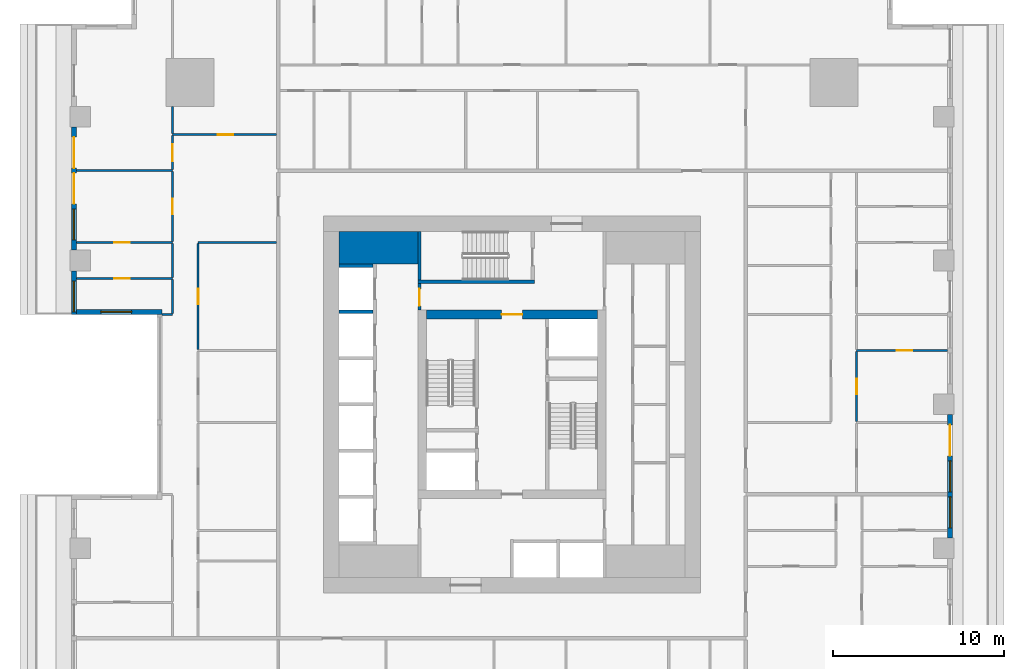
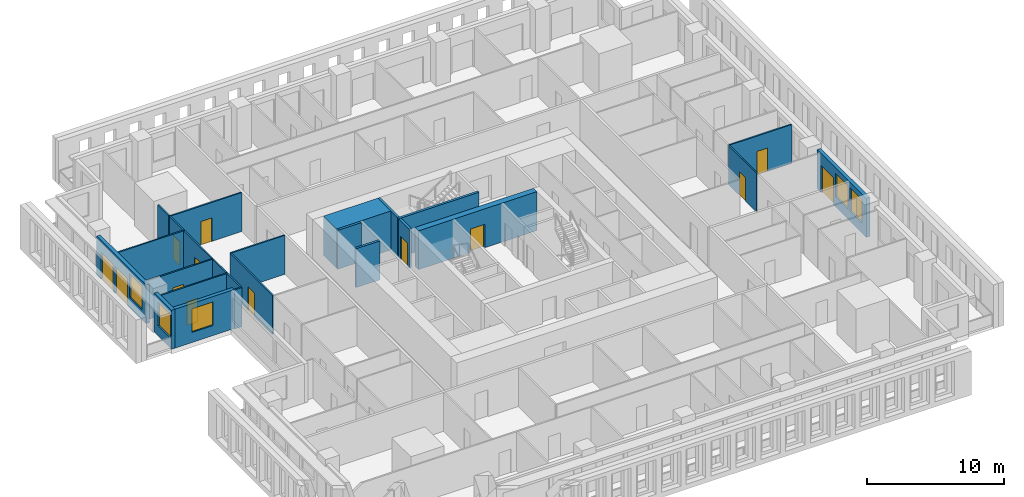
# One storey, part 6 of 14: 25 walls, 13 doors, 5 windows, 18 openings.
"""IFC4 building model written with IfcOpenShell, lengths in metres."""

from ifc_helpers import new_model, si_unit, direction, frame, frame_2d, origin, place, context, subcontext, project, spatial, rectangle, extrude, material, layer, layer_set, type_object, element, fill, save


model = new_model("IFC4")

# Units and contexts
model_context = context("Model", 3, precision=1e-05, world=origin(), true_north=direction((0.0, 1.0)))
body_context = subcontext(model_context, "Body", "Model", "MODEL_VIEW")
ifc_project = project(units=[si_unit("LENGTHUNIT", "METRE"), si_unit("AREAUNIT", "SQUARE_METRE"), si_unit("VOLUMEUNIT", "CUBIC_METRE"), si_unit("PLANEANGLEUNIT", "RADIAN"), si_unit("MASSUNIT", "GRAM", prefix="KILO")], contexts=[model_context])

# Site, building, storey
site_placement = place(None, origin())
site = spatial("IfcSite", under=ifc_project, at=site_placement, CompositionType="ELEMENT")
building_placement = place(site_placement, origin())
building = spatial("IfcBuilding", under=site, at=building_placement, Name="Khepri Terraces", CompositionType="ELEMENT")
storey_placement = place(building_placement, frame((0.0, 0.0, 90.89990234375)))
storey = spatial("IfcBuildingStorey", under=building, at=storey_placement, Name="L21", CompositionType="ELEMENT", Elevation=90.89990234375)

# Walls
ifc_material_1 = material(Name="Concrete C70/85", Category="concrete")
ifc_layer_1 = layer(ifc_material_1, 1.89990234375, Name="Concrete C70/85", Category="concrete")
ifc_layer_set_1 = layer_set([ifc_layer_1], Name="Concrete C70/85")
wall_type_1 = type_object("IfcWallType", Name="Core wall 1900 C70/85", PredefinedType="SHEAR", material=ifc_layer_set_1)
wall_1_placement = place(storey_placement, frame((-10.10009765625, 9.14990234375, 0.0), z_axis=(0.0, 0.0, 1.0), x_axis=(1.0, 0.0, 0.0)))
element("IfcWall", 1, at=wall_1_placement, inside=storey, type_object=wall_type_1, Name="Core wall PR03 L21", PredefinedType="SHEAR", context=body_context, shape_type="SweptSolid", body=[
    extrude(rectangle(XDim=4.60009765625, YDim=1.89990234375, at=frame_2d((2.300048828125, 0.0))), origin(), (0.0, 0.0, 1.0), 3.47998046875),
])
ifc_layer_2 = layer(ifc_material_1, 0.199951171875, Name="Concrete C70/85", Category="concrete")
ifc_layer_set_2 = layer_set([ifc_layer_2], Name="Concrete C70/85")
wall_type_2 = type_object("IfcWallType", Name="Core wall 200 C70/85", PredefinedType="SHEAR", material=ifc_layer_set_2)
wall_2_placement = place(storey_placement, frame((-5.5, 7.14990234375, 0.0), z_axis=(0.0, 0.0, 1.0), x_axis=(1.0, 0.0, 0.0)))
element("IfcWall", 2, at=wall_2_placement, inside=storey, type_object=wall_type_2, Name="Core wall ST05 L21", PredefinedType="SHEAR", context=body_context, shape_type="SweptSolid", body=[
    extrude(rectangle(XDim=6.800048828125, YDim=0.199951171875, at=frame_2d((3.39990234375, 0.0))), origin(), (0.0, 0.0, 1.0), 3.47998046875),
])
wall_3_placement = place(storey_placement, frame((-5.39990234375, 7.25, 0.0), z_axis=(0.0, 0.0, 1.0), x_axis=(0.0, 1.0, 0.0)))
element("IfcWall", 3, at=wall_3_placement, inside=storey, type_object=wall_type_2, Name="Core wall ST06 L21", PredefinedType="SHEAR", context=body_context, shape_type="SweptSolid", body=[
    extrude(rectangle(XDim=2.85009765625, YDim=0.199951171875, at=frame_2d((1.425048828125, 0.0))), origin(), (0.0, 0.0, 1.0), 3.47998046875),
])
for number, where, z_axis, x_axis, name in (
    (4, (-10.10009765625, 5.39990234375, 0.0), (0.0, 0.0, 1.0), (1.0, 0.0, 0.0), "Core wall SH19 L21"),
    (5, (-10.10009765625, 8.10009765625, 0.0), (0.0, 0.0, 1.0), (1.0, 0.0, 0.0), "Core wall SH20 L21"),
):
    element("IfcWall", number, at=place(storey_placement, frame(where, z_axis=z_axis, x_axis=x_axis)), inside=storey, type_object=wall_type_2, Name=name, PredefinedType="SHEAR", context=body_context, shape_type="SweptSolid", body=[
        extrude(rectangle(XDim=2.0, YDim=0.199951171875, at=frame_2d((1.0, 0.0))), origin(), (0.0, 0.0, 1.0), 3.47998046875),
    ])

# Wall, opening, door
ifc_layer_3 = layer(ifc_material_1, 0.5, Name="Concrete C70/85", Category="concrete")
ifc_layer_set_3 = layer_set([ifc_layer_3], Name="Concrete C70/85")
wall_type_3 = type_object("IfcWallType", Name="Core wall 500 C70/85", PredefinedType="SHEAR", material=ifc_layer_set_3)
wall_4_placement = place(storey_placement, frame((-5.0, 5.25, 0.0), z_axis=(0.0, 0.0, 1.0), x_axis=(1.0, 0.0, 0.0)))
wall_4 = element("IfcWall", 6, at=wall_4_placement, inside=storey, type_object=wall_type_3, Name="Core wall BX04 L21", PredefinedType="SHEAR", context=body_context, shape_type="SweptSolid", body=[
    extrude(rectangle(XDim=10.0, YDim=0.5, at=frame_2d((5.0, 0.0))), origin(), (0.0, 0.0, 1.0), 3.47998046875),
])
opening_1_placement = place(wall_4_placement, frame((4.39990234375, 0.0, 0.0)))
opening_1 = element("IfcOpeningElement", 7, at=opening_1_placement, cuts=wall_4, Name="Opening L21-C13", PredefinedType="OPENING", context=body_context, shape_type="SweptSolid", body=[
    extrude(rectangle(XDim=1.199951171875, YDim=2.10009765625, at=frame_2d((0.60009765625, 1.050048828125))), frame((0.0, 0.260009765625, 0.0), z_axis=(0.0, -1.0, 0.0), x_axis=(1.0, 0.0, 0.0)), (0.0, 0.0, 1.0), 0.52001953125),
])
ifc_material_2 = material(Name="Painted steel", Category="steel")
door_type_1 = type_object("IfcDoorType", Name="DR-CORE-FF-LOBBY-1200", OperationType="NOTDEFINED", PredefinedType="DOOR", material=ifc_material_2)
door_1_placement = place(opening_1_placement, frame((1.199951171875, 0.0, 0.0), z_axis=(0.0, 0.0, 1.0), x_axis=(-1.0, 0.0, 0.0)))
door_1 = element("IfcDoor", 8, at=door_1_placement, inside=storey, type_object=door_type_1, Name="Firefighting lobby door L21-C13", OperationType="SINGLE_SWING_LEFT", OverallHeight=2.10009765625, OverallWidth=1.199951171875, PredefinedType="DOOR", context=body_context, shape_type="SweptSolid", body=[
    extrude(rectangle(XDim=1.199951171875, YDim=2.10009765625, at=frame_2d((0.60009765625, 1.050048828125))), frame((0.0, 0.02490234375, 0.0), z_axis=(0.0, -1.0, 0.0), x_axis=(1.0, 0.0, 0.0)), (0.0, 0.0, 1.0), 0.050048828125),
])
fill(opening_1, door_1)

ifc_material_3 = material(Name="Fire-rated gypsum board partition")
ifc_layer_4 = layer(ifc_material_3, 0.199951171875, Name="Fire-rated gypsum board partition")
ifc_layer_set_4 = layer_set([ifc_layer_4], Name="Fire-rated gypsum board partition")
wall_type_4 = type_object("IfcWallType", Name="WL-CORE-PART-200", PredefinedType="PARTITIONING", material=ifc_layer_set_4)
wall_5_placement = place(storey_placement, frame((-5.39990234375, 5.5, 0.0), z_axis=(0.0, 0.0, 1.0), x_axis=(0.0, 1.0, 0.0)))
wall_5 = element("IfcWall", 9, at=wall_5_placement, inside=storey, type_object=wall_type_4, Name="Core partition PT07 L21", PredefinedType="PARTITIONING", context=body_context, shape_type="SweptSolid", body=[
    extrude(rectangle(XDim=1.550048828125, YDim=0.199951171875, at=frame_2d((0.77490234375, 0.0))), origin(), (0.0, 0.0, 1.0), 3.47998046875),
])
opening_2_placement = place(wall_5_placement, frame((0.25, 0.0, 0.0)))
opening_2 = element("IfcOpeningElement", 10, at=opening_2_placement, cuts=wall_5, Name="Opening L21-C16", PredefinedType="OPENING", context=body_context, shape_type="SweptSolid", body=[
    extrude(rectangle(XDim=1.0, YDim=2.10009765625, at=frame_2d((0.5, 1.050048828125))), frame((0.0, 0.10986328125, 0.0), z_axis=(0.0, -1.0, 0.0), x_axis=(1.0, 0.0, 0.0)), (0.0, 0.0, 1.0), 0.219970703125),
])
door_type_2 = type_object("IfcDoorType", Name="DR-CORE-LOBBY-1000", OperationType="NOTDEFINED", PredefinedType="DOOR", material=ifc_material_2)
door_2_placement = place(opening_2_placement, frame((1.0, 0.0, 0.0), z_axis=(0.0, 0.0, 1.0), x_axis=(-1.0, 0.0, 0.0)))
door_2 = element("IfcDoor", 11, at=door_2_placement, inside=storey, type_object=door_type_2, Name="Lobby door L21-C16", OperationType="SINGLE_SWING_RIGHT", OverallHeight=2.10009765625, OverallWidth=1.0, PredefinedType="DOOR", context=body_context, shape_type="SweptSolid", body=[
    extrude(rectangle(XDim=1.0, YDim=2.10009765625, at=frame_2d((0.5, 1.050048828125))), frame((0.0, 0.02490234375, 0.0), z_axis=(0.0, -1.0, 0.0), x_axis=(1.0, 0.0, 0.0)), (0.0, 0.0, 1.0), 0.050048828125),
])
fill(opening_2, door_2)

# Wall, openings, door, windows
ifc_material_4 = material(Name="Precast concrete C50/60 warm stone", Category="masonry")
ifc_layer_5 = layer(ifc_material_4, 0.300048828125, Name="Precast concrete C50/60 warm stone", Category="masonry")
ifc_layer_set_5 = layer_set([ifc_layer_5], Name="Precast concrete C50/60 warm stone")
wall_type_5 = type_object("IfcWallType", Name="WL-EXT-PRECAST-300", PredefinedType="STANDARD", material=ifc_layer_set_5)
wall_6_placement = place(storey_placement, frame((25.570068359375, -7.800048828125, 0.0), z_axis=(0.0, 0.0, 1.0), x_axis=(0.0, 1.0, 0.0)))
wall_6 = element("IfcWall", 12, at=wall_6_placement, inside=storey, type_object=wall_type_5, Name="External wall L21 E", PredefinedType="STANDARD", context=body_context, shape_type="SweptSolid", body=[
    extrude(rectangle(XDim=7.199951171875, YDim=0.300048828125, at=frame_2d((3.60009765625, 0.0))), origin(), (0.0, 0.0, 1.0), 3.47998046875),
])
opening_3_placement = place(wall_6_placement, frame((0.60009765625, 0.0, 0.89990234375)))
opening_3 = element("IfcOpeningElement", 13, at=opening_3_placement, cuts=wall_6, Name="Opening W1", PredefinedType="OPENING", context=body_context, shape_type="SweptSolid", body=[
    extrude(rectangle(XDim=1.800048828125, YDim=2.10009765625, at=frame_2d((0.89990234375, 1.050048828125))), frame((0.0, 0.16015625, 0.0), z_axis=(0.0, -1.0, 0.0), x_axis=(1.0, 0.0, 0.0)), (0.0, 0.0, 1.0), 0.320068359375),
])
opening_4_placement = place(wall_6_placement, frame((2.699951171875, 0.0, 0.89990234375)))
opening_4 = element("IfcOpeningElement", 14, at=opening_4_placement, cuts=wall_6, Name="Opening W1", PredefinedType="OPENING", context=body_context, shape_type="SweptSolid", body=[
    extrude(rectangle(XDim=1.800048828125, YDim=2.10009765625, at=frame_2d((0.89990234375, 1.050048828125))), frame((0.0, 0.16015625, 0.0), z_axis=(0.0, -1.0, 0.0), x_axis=(1.0, 0.0, 0.0)), (0.0, 0.0, 1.0), 0.320068359375),
])
opening_5_placement = place(wall_6_placement, frame((4.800048828125, 0.0, 0.0)))
opening_5 = element("IfcOpeningElement", 15, at=opening_5_placement, cuts=wall_6, Name="Opening ED-L21-04", PredefinedType="OPENING", context=body_context, shape_type="SweptSolid", body=[
    extrude(rectangle(XDim=1.800048828125, YDim=2.39990234375, at=frame_2d((0.89990234375, 1.199951171875))), frame((0.0, 0.16015625, 0.0), z_axis=(0.0, -1.0, 0.0), x_axis=(1.0, 0.0, 0.0)), (0.0, 0.0, 1.0), 0.320068359375),
])
ifc_material_5 = material(Name="Anodised aluminium bronze glazed door", Category="aluminium")
door_type_3 = type_object("IfcDoorType", Name="DR-BAL-SLIDE-1800x2400", OperationType="NOTDEFINED", PredefinedType="DOOR", material=ifc_material_5)
door_3_placement = place(opening_5_placement, origin())
door_3 = element("IfcDoor", 16, at=door_3_placement, inside=storey, type_object=door_type_3, Name="Balcony door L21 E", OperationType="SLIDING_TO_RIGHT", OverallHeight=2.39990234375, OverallWidth=1.800048828125, PredefinedType="DOOR", context=body_context, shape_type="SweptSolid", body=[
    extrude(rectangle(XDim=1.800048828125, YDim=2.39990234375, at=frame_2d((0.89990234375, 1.199951171875))), frame((0.0, 0.02490234375, 0.0), z_axis=(0.0, -1.0, 0.0), x_axis=(1.0, 0.0, 0.0)), (0.0, 0.0, 1.0), 0.050048828125),
])
fill(opening_5, door_3)
ifc_material_6 = material(Name="Clear glass", Category="glass")
window_type = type_object("IfcWindowType", Name="WIN-RES-1800x2100", PartitioningType="SINGLE_PANEL", PredefinedType="WINDOW", material=ifc_material_6)
window_1_placement = place(opening_3_placement, origin())
window_1 = element("IfcWindow", 17, at=window_1_placement, inside=storey, type_object=window_type, Name="Window L21 E", OverallHeight=2.10009765625, OverallWidth=1.800048828125, PartitioningType="SINGLE_PANEL", PredefinedType="WINDOW", context=body_context, shape_type="SweptSolid", body=[
    extrude(rectangle(XDim=1.800048828125, YDim=2.10009765625, at=frame_2d((0.89990234375, 1.050048828125))), frame((0.0, 0.030029296875, 0.0), z_axis=(0.0, -1.0, 0.0), x_axis=(1.0, 0.0, 0.0)), (0.0, 0.0, 1.0), 0.06005859375),
])
fill(opening_3, window_1)
window_2_placement = place(opening_4_placement, origin())
window_2 = element("IfcWindow", 18, at=window_2_placement, inside=storey, type_object=window_type, Name="Window L21 E", OverallHeight=2.10009765625, OverallWidth=1.800048828125, PartitioningType="SINGLE_PANEL", PredefinedType="WINDOW", context=body_context, shape_type="SweptSolid", body=[
    extrude(rectangle(XDim=1.800048828125, YDim=2.10009765625, at=frame_2d((0.89990234375, 1.050048828125))), frame((0.0, 0.030029296875, 0.0), z_axis=(0.0, -1.0, 0.0), x_axis=(1.0, 0.0, 0.0)), (0.0, 0.0, 1.0), 0.06005859375),
])
fill(opening_4, window_2)

# Wall, openings, doors, window
wall_7_placement = place(storey_placement, frame((-25.570068359375, 16.199951171875, 0.0), z_axis=(0.0, 0.0, 1.0), x_axis=(0.0, -1.0, 0.0)))
wall_7 = element("IfcWall", 19, at=wall_7_placement, inside=storey, type_object=wall_type_5, Name="External wall L21 W", PredefinedType="STANDARD", context=body_context, shape_type="SweptSolid", body=[
    extrude(rectangle(XDim=7.199951171875, YDim=0.300048828125, at=frame_2d((3.60009765625, 0.0))), origin(), (0.0, 0.0, 1.0), 3.47998046875),
])
opening_6_placement = place(wall_7_placement, frame((0.60009765625, 0.0, 0.0)))
opening_6 = element("IfcOpeningElement", 20, at=opening_6_placement, cuts=wall_7, Name="Opening ED-L21-15", PredefinedType="OPENING", context=body_context, shape_type="SweptSolid", body=[
    extrude(rectangle(XDim=1.800048828125, YDim=2.39990234375, at=frame_2d((0.89990234375, 1.199951171875))), frame((0.0, 0.16015625, 0.0), z_axis=(0.0, -1.0, 0.0), x_axis=(1.0, 0.0, 0.0)), (0.0, 0.0, 1.0), 0.320068359375),
])
opening_7_placement = place(wall_7_placement, frame((2.699951171875, 0.0, 0.0)))
opening_7 = element("IfcOpeningElement", 21, at=opening_7_placement, cuts=wall_7, Name="Opening ED-L21-16", PredefinedType="OPENING", context=body_context, shape_type="SweptSolid", body=[
    extrude(rectangle(XDim=1.800048828125, YDim=2.39990234375, at=frame_2d((0.89990234375, 1.199951171875))), frame((0.0, 0.16015625, 0.0), z_axis=(0.0, -1.0, 0.0), x_axis=(1.0, 0.0, 0.0)), (0.0, 0.0, 1.0), 0.320068359375),
])
opening_8_placement = place(wall_7_placement, frame((4.800048828125, 0.0, 0.89990234375)))
opening_8 = element("IfcOpeningElement", 22, at=opening_8_placement, cuts=wall_7, Name="Opening W1", PredefinedType="OPENING", context=body_context, shape_type="SweptSolid", body=[
    extrude(rectangle(XDim=1.800048828125, YDim=2.10009765625, at=frame_2d((0.89990234375, 1.050048828125))), frame((0.0, 0.16015625, 0.0), z_axis=(0.0, -1.0, 0.0), x_axis=(1.0, 0.0, 0.0)), (0.0, 0.0, 1.0), 0.320068359375),
])
door_4_placement = place(opening_6_placement, origin())
door_4 = element("IfcDoor", 23, at=door_4_placement, inside=storey, type_object=door_type_3, Name="Balcony door L21 W", OperationType="SLIDING_TO_LEFT", OverallHeight=2.39990234375, OverallWidth=1.800048828125, PredefinedType="DOOR", context=body_context, shape_type="SweptSolid", body=[
    extrude(rectangle(XDim=1.800048828125, YDim=2.39990234375, at=frame_2d((0.89990234375, 1.199951171875))), frame((0.0, 0.02490234375, 0.0), z_axis=(0.0, -1.0, 0.0), x_axis=(1.0, 0.0, 0.0)), (0.0, 0.0, 1.0), 0.050048828125),
])
fill(opening_6, door_4)
door_5_placement = place(opening_7_placement, origin())
door_5 = element("IfcDoor", 24, at=door_5_placement, inside=storey, type_object=door_type_3, Name="Balcony door L21 W", OperationType="SLIDING_TO_RIGHT", OverallHeight=2.39990234375, OverallWidth=1.800048828125, PredefinedType="DOOR", context=body_context, shape_type="SweptSolid", body=[
    extrude(rectangle(XDim=1.800048828125, YDim=2.39990234375, at=frame_2d((0.89990234375, 1.199951171875))), frame((0.0, 0.02490234375, 0.0), z_axis=(0.0, -1.0, 0.0), x_axis=(1.0, 0.0, 0.0)), (0.0, 0.0, 1.0), 0.050048828125),
])
fill(opening_7, door_5)
window_3_placement = place(opening_8_placement, origin())
window_3 = element("IfcWindow", 25, at=window_3_placement, inside=storey, type_object=window_type, Name="Window L21 W", OverallHeight=2.10009765625, OverallWidth=1.800048828125, PartitioningType="SINGLE_PANEL", PredefinedType="WINDOW", context=body_context, shape_type="SweptSolid", body=[
    extrude(rectangle(XDim=1.800048828125, YDim=2.10009765625, at=frame_2d((0.89990234375, 1.050048828125))), frame((0.0, 0.030029296875, 0.0), z_axis=(0.0, -1.0, 0.0), x_axis=(1.0, 0.0, 0.0)), (0.0, 0.0, 1.0), 0.06005859375),
])
fill(opening_8, window_3)

# Wall, opening, window
wall_8_placement = place(storey_placement, frame((-25.570068359375, 7.800048828125, 0.0), z_axis=(0.0, 0.0, 1.0), x_axis=(0.0, -1.0, 0.0)))
wall_8 = element("IfcWall", 26, at=wall_8_placement, inside=storey, type_object=wall_type_5, Name="External wall L21 W", PredefinedType="STANDARD", context=body_context, shape_type="SweptSolid", body=[
    extrude(rectangle(XDim=2.550048828125, YDim=0.300048828125, at=frame_2d((1.27490234375, 0.0))), origin(), (0.0, 0.0, 1.0), 3.47998046875),
])
opening_9_placement = place(wall_8_placement, frame((0.60009765625, 0.0, 0.89990234375)))
opening_9 = element("IfcOpeningElement", 27, at=opening_9_placement, cuts=wall_8, Name="Opening W1", PredefinedType="OPENING", context=body_context, shape_type="SweptSolid", body=[
    extrude(rectangle(XDim=1.800048828125, YDim=2.10009765625, at=frame_2d((0.89990234375, 1.050048828125))), frame((0.0, 0.16015625, 0.0), z_axis=(0.0, -1.0, 0.0), x_axis=(1.0, 0.0, 0.0)), (0.0, 0.0, 1.0), 0.320068359375),
])
window_4_placement = place(opening_9_placement, origin())
window_4 = element("IfcWindow", 28, at=window_4_placement, inside=storey, type_object=window_type, Name="Window L21 W", OverallHeight=2.10009765625, OverallWidth=1.800048828125, PartitioningType="SINGLE_PANEL", PredefinedType="WINDOW", context=body_context, shape_type="SweptSolid", body=[
    extrude(rectangle(XDim=1.800048828125, YDim=2.10009765625, at=frame_2d((0.89990234375, 1.050048828125))), frame((0.0, 0.030029296875, 0.0), z_axis=(0.0, -1.0, 0.0), x_axis=(1.0, 0.0, 0.0)), (0.0, 0.0, 1.0), 0.06005859375),
])
fill(opening_9, window_4)

wall_9_placement = place(storey_placement, frame((-25.419921875, 5.39990234375, 0.0), z_axis=(0.0, 0.0, 1.0), x_axis=(1.0, 0.0, 0.0)))
wall_9 = element("IfcWall", 29, at=wall_9_placement, inside=storey, type_object=wall_type_5, Name="External wall L21 S", PredefinedType="STANDARD", context=body_context, shape_type="SweptSolid", body=[
    extrude(rectangle(XDim=5.0, YDim=0.300048828125, at=frame_2d((2.5, 0.0))), origin(), (0.0, 0.0, 1.0), 3.47998046875),
])
opening_10_placement = place(wall_9_placement, frame((1.419921875, 0.0, 0.89990234375)))
opening_10 = element("IfcOpeningElement", 30, at=opening_10_placement, cuts=wall_9, Name="Opening W1", PredefinedType="OPENING", context=body_context, shape_type="SweptSolid", body=[
    extrude(rectangle(XDim=1.800048828125, YDim=2.10009765625, at=frame_2d((0.89990234375, 1.050048828125))), frame((0.0, 0.16015625, 0.0), z_axis=(0.0, -1.0, 0.0), x_axis=(1.0, 0.0, 0.0)), (0.0, 0.0, 1.0), 0.320068359375),
])
window_5_placement = place(opening_10_placement, origin())
window_5 = element("IfcWindow", 31, at=window_5_placement, inside=storey, type_object=window_type, Name="Window L21 S", OverallHeight=2.10009765625, OverallWidth=1.800048828125, PartitioningType="SINGLE_PANEL", PredefinedType="WINDOW", context=body_context, shape_type="SweptSolid", body=[
    extrude(rectangle(XDim=1.800048828125, YDim=2.10009765625, at=frame_2d((0.89990234375, 1.050048828125))), frame((0.0, 0.030029296875, 0.0), z_axis=(0.0, -1.0, 0.0), x_axis=(1.0, 0.0, 0.0)), (0.0, 0.0, 1.0), 0.06005859375),
])
fill(opening_10, window_5)

# Wall, opening, door
ifc_material_7 = material(Name="Gypsum plasterboard partition")
ifc_layer_6 = layer(ifc_material_7, 0.1201171875, Name="Gypsum plasterboard partition")
ifc_layer_set_6 = layer_set([ifc_layer_6], Name="Gypsum plasterboard partition")
wall_type_6 = type_object("IfcWallType", Name="WL-PART-120", PredefinedType="PARTITIONING", material=ifc_layer_set_6)
wall_10_placement = place(storey_placement, frame((20.1201171875, -0.989990234375, 0.0), z_axis=(0.0, 0.0, 1.0), x_axis=(0.0, 1.0, 0.0)))
wall_10 = element("IfcWall", 32, at=wall_10_placement, inside=storey, type_object=wall_type_6, Name="Partition P-049 L21", PredefinedType="PARTITIONING", context=body_context, shape_type="SweptSolid", body=[
    extrude(rectangle(XDim=4.080078125, YDim=0.1201171875, at=frame_2d((2.0400390625, 0.0))), origin(), (0.0, 0.0, 1.0), 3.47998046875),
])
opening_11_placement = place(wall_10_placement, frame((1.590087890625, 0.0, 0.0)))
opening_11 = element("IfcOpeningElement", 33, at=opening_11_placement, cuts=wall_10, Name="Opening D3", PredefinedType="OPENING", context=body_context, shape_type="SweptSolid", body=[
    extrude(rectangle(XDim=0.89990234375, YDim=2.10009765625, at=frame_2d((0.449951171875, 1.050048828125))), frame((0.0, 0.070068359375, 0.0), z_axis=(0.0, -1.0, 0.0), x_axis=(1.0, 0.0, 0.0)), (0.0, 0.0, 1.0), 0.14013671875),
])
ifc_material_8 = material(Name="Timber door leaf", Category="wood")
door_type_4 = type_object("IfcDoorType", Name="DR-INT-900", OperationType="NOTDEFINED", PredefinedType="DOOR", material=ifc_material_8)
door_6_placement = place(opening_11_placement, frame((0.89990234375, 0.0, 0.0), z_axis=(0.0, 0.0, 1.0), x_axis=(-1.0, 0.0, 0.0)))
door_6 = element("IfcDoor", 34, at=door_6_placement, inside=storey, type_object=door_type_4, Name="Door Bedroom", OperationType="SINGLE_SWING_LEFT", OverallHeight=2.10009765625, OverallWidth=0.89990234375, PredefinedType="DOOR", context=body_context, shape_type="SweptSolid", body=[
    extrude(rectangle(XDim=0.89990234375, YDim=2.10009765625, at=frame_2d((0.449951171875, 1.050048828125))), frame((0.0, 0.02490234375, 0.0), z_axis=(0.0, -1.0, 0.0), x_axis=(1.0, 0.0, 0.0)), (0.0, 0.0, 1.0), 0.050048828125),
])
fill(opening_11, door_6)

wall_11_placement = place(storey_placement, frame((20.1201171875, 3.14990234375, 0.0), z_axis=(0.0, 0.0, 1.0), x_axis=(1.0, 0.0, 0.0)))
wall_11 = element("IfcWall", 35, at=wall_11_placement, inside=storey, type_object=wall_type_6, Name="Partition P-051 L21", PredefinedType="PARTITIONING", context=body_context, shape_type="SweptSolid", body=[
    extrude(rectangle(XDim=5.2998046875, YDim=0.1201171875, at=frame_2d((2.64990234375, 0.0))), origin(), (0.0, 0.0, 1.0), 3.47998046875),
])
opening_12_placement = place(wall_11_placement, frame((2.35009765625, 0.0, 0.0)))
opening_12 = element("IfcOpeningElement", 36, at=opening_12_placement, cuts=wall_11, Name="Opening D4", PredefinedType="OPENING", context=body_context, shape_type="SweptSolid", body=[
    extrude(rectangle(XDim=0.89990234375, YDim=2.10009765625, at=frame_2d((0.449951171875, 1.050048828125))), frame((0.0, 0.070068359375, 0.0), z_axis=(0.0, -1.0, 0.0), x_axis=(1.0, 0.0, 0.0)), (0.0, 0.0, 1.0), 0.14013671875),
])
ifc_material_9 = material(Name="Timber door leaf, moisture resistant", Category="wood")
door_type_5 = type_object("IfcDoorType", Name="DR-WET-900", OperationType="NOTDEFINED", PredefinedType="DOOR", material=ifc_material_9)
door_7_placement = place(opening_12_placement, origin())
door_7 = element("IfcDoor", 37, at=door_7_placement, inside=storey, type_object=door_type_5, Name="Door Bathroom", OperationType="SINGLE_SWING_RIGHT", OverallHeight=2.10009765625, OverallWidth=0.89990234375, PredefinedType="DOOR", context=body_context, shape_type="SweptSolid", body=[
    extrude(rectangle(XDim=0.89990234375, YDim=2.10009765625, at=frame_2d((0.449951171875, 1.050048828125))), frame((0.0, 0.02490234375, 0.0), z_axis=(0.0, -1.0, 0.0), x_axis=(1.0, 0.0, 0.0)), (0.0, 0.0, 1.0), 0.050048828125),
])
fill(opening_12, door_7)

wall_12_placement = place(storey_placement, frame((-18.320068359375, 3.2099609375, 0.0), z_axis=(0.0, 0.0, 1.0), x_axis=(0.0, 1.0, 0.0)))
wall_12 = element("IfcWall", 38, at=wall_12_placement, inside=storey, type_object=wall_type_6, Name="Partition P-052 L21", PredefinedType="PARTITIONING", context=body_context, shape_type="SweptSolid", body=[
    extrude(rectangle(XDim=6.179931640625, YDim=0.1201171875, at=frame_2d((3.08984375, 0.0))), origin(), (0.0, 0.0, 1.0), 3.47998046875),
])
opening_13_placement = place(wall_12_placement, frame((2.639892578125, 0.0, 0.0)))
opening_13 = element("IfcOpeningElement", 39, at=opening_13_placement, cuts=wall_12, Name="Opening D3", PredefinedType="OPENING", context=body_context, shape_type="SweptSolid", body=[
    extrude(rectangle(XDim=0.89990234375, YDim=2.10009765625, at=frame_2d((0.449951171875, 1.050048828125))), frame((0.0, 0.070068359375, 0.0), z_axis=(0.0, -1.0, 0.0), x_axis=(1.0, 0.0, 0.0)), (0.0, 0.0, 1.0), 0.14013671875),
])
door_8_placement = place(opening_13_placement, frame((0.89990234375, 0.0, 0.0), z_axis=(0.0, 0.0, 1.0), x_axis=(-1.0, 0.0, 0.0)))
door_8 = element("IfcDoor", 40, at=door_8_placement, inside=storey, type_object=door_type_4, Name="Door Kitchen", OperationType="SINGLE_SWING_RIGHT", OverallHeight=2.10009765625, OverallWidth=0.89990234375, PredefinedType="DOOR", context=body_context, shape_type="SweptSolid", body=[
    extrude(rectangle(XDim=0.89990234375, YDim=2.10009765625, at=frame_2d((0.449951171875, 1.050048828125))), frame((0.0, 0.02490234375, 0.0), z_axis=(0.0, -1.0, 0.0), x_axis=(1.0, 0.0, 0.0)), (0.0, 0.0, 1.0), 0.050048828125),
])
fill(opening_13, door_8)

# Walls
wall_13_placement = place(storey_placement, frame((-20.419921875, 5.25, 0.0), z_axis=(0.0, 0.0, 1.0), x_axis=(1.0, 0.0, 0.0)))
element("IfcWall", 41, at=wall_13_placement, inside=storey, type_object=wall_type_6, Name="Partition P-054 L21", PredefinedType="PARTITIONING", context=body_context, shape_type="SweptSolid", body=[
    extrude(rectangle(XDim=0.599853515625, YDim=0.1201171875, at=frame_2d((0.2998046875, 0.0))), origin(), (0.0, 0.0, 1.0), 3.47998046875),
])
wall_14_placement = place(storey_placement, frame((-19.820068359375, 5.31005859375, 0.0), z_axis=(0.0, 0.0, 1.0), x_axis=(0.0, 1.0, 0.0)))
element("IfcWall", 42, at=wall_14_placement, inside=storey, type_object=wall_type_6, Name="Partition P-057 L21", PredefinedType="PARTITIONING", context=body_context, shape_type="SweptSolid", body=[
    extrude(rectangle(XDim=1.97998046875, YDim=0.1201171875, at=frame_2d((0.989990234375, 0.0))), origin(), (0.0, 0.0, 1.0), 3.47998046875),
])

# Wall, opening, door
wall_15_placement = place(storey_placement, frame((-25.419921875, 7.35009765625, 0.0), z_axis=(0.0, 0.0, 1.0), x_axis=(1.0, 0.0, 0.0)))
wall_15 = element("IfcWall", 43, at=wall_15_placement, inside=storey, type_object=wall_type_6, Name="Partition P-060 L21", PredefinedType="PARTITIONING", context=body_context, shape_type="SweptSolid", body=[
    extrude(rectangle(XDim=5.599853515625, YDim=0.1201171875, at=frame_2d((2.7998046875, 0.0))), origin(), (0.0, 0.0, 1.0), 3.47998046875),
])
opening_14_placement = place(wall_15_placement, frame((2.199951171875, 0.0, 0.0)))
opening_14 = element("IfcOpeningElement", 44, at=opening_14_placement, cuts=wall_15, Name="Opening D4", PredefinedType="OPENING", context=body_context, shape_type="SweptSolid", body=[
    extrude(rectangle(XDim=0.89990234375, YDim=2.10009765625, at=frame_2d((0.449951171875, 1.050048828125))), frame((0.0, 0.070068359375, 0.0), z_axis=(0.0, -1.0, 0.0), x_axis=(1.0, 0.0, 0.0)), (0.0, 0.0, 1.0), 0.14013671875),
])
door_9_placement = place(opening_14_placement, frame((0.89990234375, 0.0, 0.0), z_axis=(0.0, 0.0, 1.0), x_axis=(-1.0, 0.0, 0.0)))
door_9 = element("IfcDoor", 45, at=door_9_placement, inside=storey, type_object=door_type_5, Name="Door Bathroom", OperationType="SINGLE_SWING_RIGHT", OverallHeight=2.10009765625, OverallWidth=0.89990234375, PredefinedType="DOOR", context=body_context, shape_type="SweptSolid", body=[
    extrude(rectangle(XDim=0.89990234375, YDim=2.10009765625, at=frame_2d((0.449951171875, 1.050048828125))), frame((0.0, 0.02490234375, 0.0), z_axis=(0.0, -1.0, 0.0), x_axis=(1.0, 0.0, 0.0)), (0.0, 0.0, 1.0), 0.050048828125),
])
fill(opening_14, door_9)

# Wall
wall_16_placement = place(storey_placement, frame((-19.820068359375, 7.409912109375, 0.0), z_axis=(0.0, 0.0, 1.0), x_axis=(0.0, 1.0, 0.0)))
element("IfcWall", 46, at=wall_16_placement, inside=storey, type_object=wall_type_6, Name="Partition P-061 L21", PredefinedType="PARTITIONING", context=body_context, shape_type="SweptSolid", body=[
    extrude(rectangle(XDim=1.97998046875, YDim=0.1201171875, at=frame_2d((0.989990234375, 0.0))), origin(), (0.0, 0.0, 1.0), 3.47998046875),
])

# Wall, opening, door
wall_17_placement = place(storey_placement, frame((-25.419921875, 9.449951171875, 0.0), z_axis=(0.0, 0.0, 1.0), x_axis=(1.0, 0.0, 0.0)))
wall_17 = element("IfcWall", 47, at=wall_17_placement, inside=storey, type_object=wall_type_6, Name="Partition P-064 L21", PredefinedType="PARTITIONING", context=body_context, shape_type="SweptSolid", body=[
    extrude(rectangle(XDim=5.599853515625, YDim=0.1201171875, at=frame_2d((2.7998046875, 0.0))), origin(), (0.0, 0.0, 1.0), 3.47998046875),
])
opening_15_placement = place(wall_17_placement, frame((2.199951171875, 0.0, 0.0)))
opening_15 = element("IfcOpeningElement", 48, at=opening_15_placement, cuts=wall_17, Name="Opening D3", PredefinedType="OPENING", context=body_context, shape_type="SweptSolid", body=[
    extrude(rectangle(XDim=0.89990234375, YDim=2.10009765625, at=frame_2d((0.449951171875, 1.050048828125))), frame((0.0, 0.070068359375, 0.0), z_axis=(0.0, -1.0, 0.0), x_axis=(1.0, 0.0, 0.0)), (0.0, 0.0, 1.0), 0.14013671875),
])
door_10_placement = place(opening_15_placement, frame((0.89990234375, 0.0, 0.0), z_axis=(0.0, 0.0, 1.0), x_axis=(-1.0, 0.0, 0.0)))
door_10 = element("IfcDoor", 49, at=door_10_placement, inside=storey, type_object=door_type_4, Name="Door Dressing Room", OperationType="SINGLE_SWING_RIGHT", OverallHeight=2.10009765625, OverallWidth=0.89990234375, PredefinedType="DOOR", context=body_context, shape_type="SweptSolid", body=[
    extrude(rectangle(XDim=0.89990234375, YDim=2.10009765625, at=frame_2d((0.449951171875, 1.050048828125))), frame((0.0, 0.02490234375, 0.0), z_axis=(0.0, -1.0, 0.0), x_axis=(1.0, 0.0, 0.0)), (0.0, 0.0, 1.0), 0.050048828125),
])
fill(opening_15, door_10)

# Wall
wall_18_placement = place(storey_placement, frame((-18.320068359375, 9.449951171875, 0.0), z_axis=(0.0, 0.0, 1.0), x_axis=(1.0, 0.0, 0.0)))
element("IfcWall", 50, at=wall_18_placement, inside=storey, type_object=wall_type_6, Name="Partition P-065 L21", PredefinedType="PARTITIONING", context=body_context, shape_type="SweptSolid", body=[
    extrude(rectangle(XDim=4.570068359375, YDim=0.1201171875, at=frame_2d((2.28515625, 0.0))), origin(), (0.0, 0.0, 1.0), 3.47998046875),
])

# Wall, opening, door
wall_19_placement = place(storey_placement, frame((-19.820068359375, 9.510009765625, 0.0), z_axis=(0.0, 0.0, 1.0), x_axis=(0.0, 1.0, 0.0)))
wall_19 = element("IfcWall", 51, at=wall_19_placement, inside=storey, type_object=wall_type_6, Name="Partition P-067 L21", PredefinedType="PARTITIONING", context=body_context, shape_type="SweptSolid", body=[
    extrude(rectangle(XDim=4.080078125, YDim=0.1201171875, at=frame_2d((2.0400390625, 0.0))), origin(), (0.0, 0.0, 1.0), 3.47998046875),
])
opening_16_placement = place(wall_19_placement, frame((1.590087890625, 0.0, 0.0)))
opening_16 = element("IfcOpeningElement", 52, at=opening_16_placement, cuts=wall_19, Name="Opening D3", PredefinedType="OPENING", context=body_context, shape_type="SweptSolid", body=[
    extrude(rectangle(XDim=0.89990234375, YDim=2.10009765625, at=frame_2d((0.449951171875, 1.050048828125))), frame((0.0, 0.070068359375, 0.0), z_axis=(0.0, -1.0, 0.0), x_axis=(1.0, 0.0, 0.0)), (0.0, 0.0, 1.0), 0.14013671875),
])
door_11_placement = place(opening_16_placement, origin())
door_11 = element("IfcDoor", 53, at=door_11_placement, inside=storey, type_object=door_type_4, Name="Door Master Bedroom", OperationType="SINGLE_SWING_RIGHT", OverallHeight=2.10009765625, OverallWidth=0.89990234375, PredefinedType="DOOR", context=body_context, shape_type="SweptSolid", body=[
    extrude(rectangle(XDim=0.89990234375, YDim=2.10009765625, at=frame_2d((0.449951171875, 1.050048828125))), frame((0.0, 0.02490234375, 0.0), z_axis=(0.0, -1.0, 0.0), x_axis=(1.0, 0.0, 0.0)), (0.0, 0.0, 1.0), 0.050048828125),
])
fill(opening_16, door_11)

# Wall
wall_20_placement = place(storey_placement, frame((-25.419921875, 13.64990234375, 0.0), z_axis=(0.0, 0.0, 1.0), x_axis=(1.0, 0.0, 0.0)))
element("IfcWall", 54, at=wall_20_placement, inside=storey, type_object=wall_type_6, Name="Partition P-073 L21", PredefinedType="PARTITIONING", context=body_context, shape_type="SweptSolid", body=[
    extrude(rectangle(XDim=5.599853515625, YDim=0.1201171875, at=frame_2d((2.7998046875, 0.0))), origin(), (0.0, 0.0, 1.0), 3.47998046875),
])

# Wall, opening, door
wall_21_placement = place(storey_placement, frame((-19.820068359375, 13.7099609375, 0.0), z_axis=(0.0, 0.0, 1.0), x_axis=(0.0, 1.0, 0.0)))
wall_21 = element("IfcWall", 55, at=wall_21_placement, inside=storey, type_object=wall_type_6, Name="Partition P-075 L21", PredefinedType="PARTITIONING", context=body_context, shape_type="SweptSolid", body=[
    extrude(rectangle(XDim=1.97998046875, YDim=0.1201171875, at=frame_2d((0.989990234375, 0.0))), origin(), (0.0, 0.0, 1.0), 3.47998046875),
])
opening_17_placement = place(wall_21_placement, frame((0.489990234375, 0.0, 0.0)))
opening_17 = element("IfcOpeningElement", 56, at=opening_17_placement, cuts=wall_21, Name="Opening D2", PredefinedType="OPENING", context=body_context, shape_type="SweptSolid", body=[
    extrude(rectangle(XDim=1.0, YDim=2.10009765625, at=frame_2d((0.5, 1.050048828125))), frame((0.0, 0.070068359375, 0.0), z_axis=(0.0, -1.0, 0.0), x_axis=(1.0, 0.0, 0.0)), (0.0, 0.0, 1.0), 0.14013671875),
])
ifc_material_10 = material(Name="Timber door leaf, living room door", Category="wood")
door_type_6 = type_object("IfcDoorType", Name="DR-INT-1000", OperationType="NOTDEFINED", PredefinedType="DOOR", material=ifc_material_10)
door_12_placement = place(opening_17_placement, origin())
door_12 = element("IfcDoor", 57, at=door_12_placement, inside=storey, type_object=door_type_6, Name="Door Living Room", OperationType="SINGLE_SWING_LEFT", OverallHeight=2.10009765625, OverallWidth=1.0, PredefinedType="DOOR", context=body_context, shape_type="SweptSolid", body=[
    extrude(rectangle(XDim=1.0, YDim=2.10009765625, at=frame_2d((0.5, 1.050048828125))), frame((0.0, 0.02490234375, 0.0), z_axis=(0.0, -1.0, 0.0), x_axis=(1.0, 0.0, 0.0)), (0.0, 0.0, 1.0), 0.050048828125),
])
fill(opening_17, door_12)

wall_22_placement = place(storey_placement, frame((-19.820068359375, 15.75, 0.0), z_axis=(0.0, 0.0, 1.0), x_axis=(1.0, 0.0, 0.0)))
wall_22 = element("IfcWall", 58, at=wall_22_placement, inside=storey, type_object=wall_type_6, Name="Partition P-083 L21", PredefinedType="PARTITIONING", context=body_context, shape_type="SweptSolid", body=[
    extrude(rectangle(XDim=6.070068359375, YDim=0.1201171875, at=frame_2d((3.03515625, 0.0))), origin(), (0.0, 0.0, 1.0), 3.47998046875),
])
opening_18_placement = place(wall_22_placement, frame((2.635009765625, 0.0, 0.0)))
opening_18 = element("IfcOpeningElement", 59, at=opening_18_placement, cuts=wall_22, Name="Opening D3", PredefinedType="OPENING", context=body_context, shape_type="SweptSolid", body=[
    extrude(rectangle(XDim=0.89990234375, YDim=2.10009765625, at=frame_2d((0.449951171875, 1.050048828125))), frame((0.0, 0.070068359375, 0.0), z_axis=(0.0, -1.0, 0.0), x_axis=(1.0, 0.0, 0.0)), (0.0, 0.0, 1.0), 0.14013671875),
])
door_13_placement = place(opening_18_placement, origin())
door_13 = element("IfcDoor", 60, at=door_13_placement, inside=storey, type_object=door_type_4, Name="Door Home Cinema", OperationType="SINGLE_SWING_RIGHT", OverallHeight=2.10009765625, OverallWidth=0.89990234375, PredefinedType="DOOR", context=body_context, shape_type="SweptSolid", body=[
    extrude(rectangle(XDim=0.89990234375, YDim=2.10009765625, at=frame_2d((0.449951171875, 1.050048828125))), frame((0.0, 0.02490234375, 0.0), z_axis=(0.0, -1.0, 0.0), x_axis=(1.0, 0.0, 0.0)), (0.0, 0.0, 1.0), 0.050048828125),
])
fill(opening_18, door_13)

# Wall
wall_23_placement = place(storey_placement, frame((-19.820068359375, 15.81005859375, 0.0), z_axis=(0.0, 0.0, 1.0), x_axis=(0.0, 1.0, 0.0)))
element("IfcWall", 61, at=wall_23_placement, inside=storey, type_object=wall_type_6, Name="Partition P-084 L21", PredefinedType="PARTITIONING", context=body_context, shape_type="SweptSolid", body=[
    extrude(rectangle(XDim=1.58984375, YDim=0.1201171875, at=frame_2d((0.794921875, 0.0))), origin(), (0.0, 0.0, 1.0), 3.47998046875),
])

save(model, "model.ifc")
